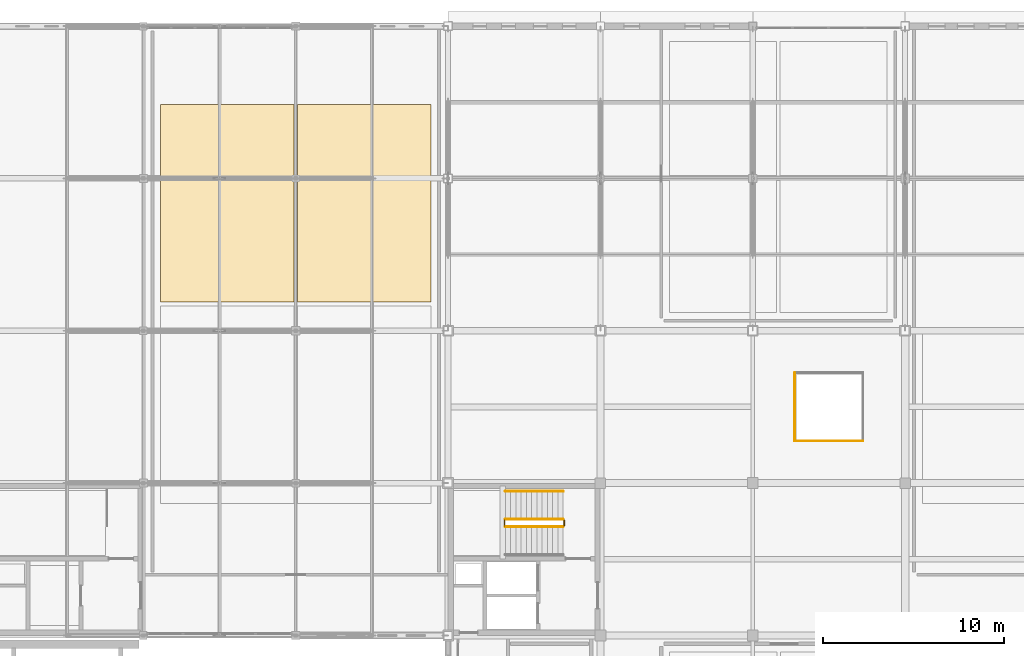
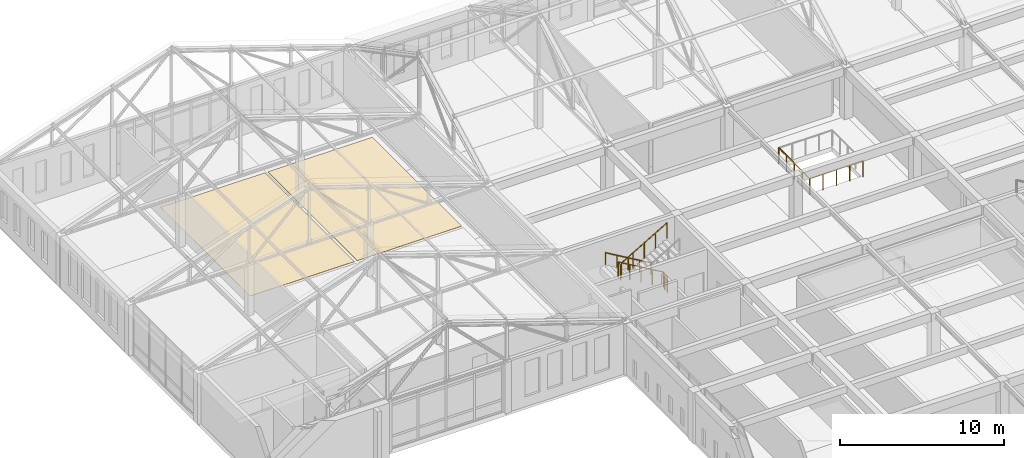
# One storey, part 55 of 56: 7 railings, 2 coverings.
"""IFC4 building model written with IfcOpenShell, lengths in metres."""

from ifc_helpers import new_model, si_unit, direction, frame, origin, origin_2d, place, context, subcontext, project, spatial, rectangle, circle, extrude, material, layer, layer_set, type_object, element, save


model = new_model("IFC4")

# Units and contexts
model_context = context("Model", 3, precision=1e-05, world=origin(), true_north=direction((0.0, 1.0)))
body_context = subcontext(model_context, "Body", "Model", "MODEL_VIEW")
ifc_project = project(units=[si_unit("LENGTHUNIT", "METRE"), si_unit("AREAUNIT", "SQUARE_METRE"), si_unit("VOLUMEUNIT", "CUBIC_METRE"), si_unit("PLANEANGLEUNIT", "RADIAN"), si_unit("MASSUNIT", "GRAM", prefix="KILO")], contexts=[model_context])

# Site, building, storey
site_placement = place(None, origin())
site = spatial("IfcSite", under=ifc_project, at=site_placement, CompositionType="ELEMENT")
building_placement = place(site_placement, origin())
building = spatial("IfcBuilding", under=site, at=building_placement, Name="Kveldsbrygga Polytechnic", CompositionType="ELEMENT")
storey_placement = place(building_placement, frame((0.0, 0.0, 18.02001953125)))
storey = spatial("IfcBuildingStorey", under=building, at=storey_placement, Name="L04", CompositionType="ELEMENT", Elevation=18.02001953125)

# Coverings
ifc_material_1 = material(Name="Acoustic oak timber flooring", Category="wood")
ifc_layer = layer(ifc_material_1, 0.02197265625)
ifc_layer_set = layer_set([ifc_layer], Name="Acoustic oak timber flooring")
covering_type = type_object("IfcCoveringType", Name="COV-FLR-OAK22", PredefinedType="FLOORING", material=ifc_layer_set)
for number, where, z_axis, x_axis, name in (
    (1, (113.824951171875, 107.824951171875, 0.0), (0.0, 0.0, 1.0), (1.0, 0.0, 0.0), "Room Flooring SP-L04-SEM41-WN"),
    (2, (121.375, 107.824951171875, 0.0), (0.0, 0.0, 1.0), (1.0, 0.0, 0.0), "Room Flooring SP-L04-SEM41-EN"),
):
    element("IfcCovering", number, at=place(storey_placement, frame(where, z_axis=z_axis, x_axis=x_axis)), inside=storey, type_object=covering_type, Name=name, PredefinedType="FLOORING", context=body_context, shape_type="SweptSolid", body=[
        extrude(rectangle(XDim=7.35009765625, YDim=10.89990234375, at=origin_2d()), origin(), (0.0, 0.0, 1.0), 0.02197265625),
    ])

# Railings
ifc_material_2 = material(Name="Steel S355", Category="steel")
railing_type_1 = type_object("IfcRailingType", Name="RL-STAIR-GRD", PredefinedType="GUARDRAIL", material=ifc_material_2)
railing_1_placement = place(storey_placement, frame((132.35009765625, 90.39990234375, 0.169921875)))
element("IfcRailing", 3, at=railing_1_placement, inside=storey, type_object=railing_type_1, Name="L04 ST-2 stair guard 1", PredefinedType="GUARDRAIL", context=body_context, shape_type="SweptSolid", body=[
    extrude(circle(Radius=0.02392578125, at=origin_2d()), frame((0.0, 0.0, 1.1259765625), z_axis=(-0.862696976859, 0.0, 0.505721194057), x_axis=(0.0, -1.0, 0.0)), (0.0, 0.0, 1.0), 3.697998046875),
    extrude(circle(Radius=0.02099609375, at=origin_2d()), origin(), (0.0, 0.0, 1.0), 1.097900390625),
    extrude(circle(Radius=0.02099609375, at=origin_2d()), frame((-0.797607421875, 0.0, 0.467529296875)), (0.0, 0.0, 1.0), 1.097900390625),
    extrude(circle(Radius=0.02099609375, at=origin_2d()), frame((-1.59521484375, 0.0, 0.93505859375)), (0.0, 0.0, 1.0), 1.097900390625),
    extrude(circle(Radius=0.02099609375, at=origin_2d()), frame((-2.392578125, 0.0, 1.402587890625)), (0.0, 0.0, 1.0), 1.097900390625),
    extrude(circle(Radius=0.02099609375, at=origin_2d()), frame((-3.190185546875, 0.0, 1.8701171875)), (0.0, 0.0, 1.0), 1.097900390625),
])
railing_2_placement = place(storey_placement, frame((129.110107421875, 90.35009765625, 2.0400390625)))
element("IfcRailing", 4, at=railing_2_placement, inside=storey, type_object=railing_type_1, Name="L04 ST-2 stair guard 2", PredefinedType="GUARDRAIL", context=body_context, shape_type="SweptSolid", body=[
    extrude(circle(Radius=0.02392578125, at=origin_2d()), frame((0.0, 0.0, 1.1259765625), z_axis=(0.0, -1.0, 0.0), x_axis=(1.0, 0.0, 0.0)), (0.0, 0.0, 1.0), 0.300048828125),
    extrude(circle(Radius=0.02099609375, at=origin_2d()), origin(), (0.0, 0.0, 1.0), 1.097900390625),
    extrude(circle(Radius=0.02099609375, at=origin_2d()), frame((0.0, -0.300048828125, 0.0)), (0.0, 0.0, 1.0), 1.097900390625),
])
railing_3_placement = place(storey_placement, frame((129.159912109375, 90.0, 2.2099609375)))
element("IfcRailing", 5, at=railing_3_placement, inside=storey, type_object=railing_type_1, Name="L04 ST-2 stair guard 3", PredefinedType="GUARDRAIL", context=body_context, shape_type="SweptSolid", body=[
    extrude(circle(Radius=0.02392578125, at=origin_2d()), frame((0.0, 0.0, 1.1259765625), z_axis=(0.862696976859, 0.0, 0.505721194057), x_axis=(0.0, 1.0, 0.0)), (0.0, 0.0, 1.0), 3.697998046875),
    extrude(circle(Radius=0.02099609375, at=origin_2d()), origin(), (0.0, 0.0, 1.0), 1.097900390625),
    extrude(circle(Radius=0.02099609375, at=origin_2d()), frame((0.797607421875, 0.0, 0.467529296875)), (0.0, 0.0, 1.0), 1.097900390625),
    extrude(circle(Radius=0.02099609375, at=origin_2d()), frame((1.59521484375, 0.0, 0.93505859375)), (0.0, 0.0, 1.0), 1.097900390625),
    extrude(circle(Radius=0.02099609375, at=origin_2d()), frame((2.392578125, 0.0, 1.402587890625)), (0.0, 0.0, 1.0), 1.097900390625),
    extrude(circle(Radius=0.02099609375, at=origin_2d()), frame((3.190185546875, 0.0, 1.8701171875)), (0.0, 0.0, 1.0), 1.097900390625),
])
railing_4_placement = place(storey_placement, frame((132.39990234375, 90.35009765625, 0.0)))
element("IfcRailing", 6, at=railing_4_placement, inside=storey, type_object=railing_type_1, Name="L04 ST-2 stair guard 4", PredefinedType="GUARDRAIL", context=body_context, shape_type="SweptSolid", body=[
    extrude(circle(Radius=0.02392578125, at=origin_2d()), frame((0.0, 0.0, 1.1259765625), z_axis=(0.0, -1.0, 0.0), x_axis=(1.0, 0.0, 0.0)), (0.0, 0.0, 1.0), 0.300048828125),
    extrude(circle(Radius=0.02099609375, at=origin_2d()), origin(), (0.0, 0.0, 1.0), 1.097900390625),
    extrude(circle(Radius=0.02099609375, at=origin_2d()), frame((0.0, -0.300048828125, 0.0)), (0.0, 0.0, 1.0), 1.097900390625),
])
railing_type_2 = type_object("IfcRailingType", Name="RL-STAIR-HND", PredefinedType="HANDRAIL", material=ifc_material_2)
railing_5_placement = place(storey_placement, frame((132.35009765625, 91.949951171875, 0.169921875)))
element("IfcRailing", 7, at=railing_5_placement, inside=storey, type_object=railing_type_2, Name="L04 ST-2 stair handrail 1", PredefinedType="HANDRAIL", context=body_context, shape_type="SweptSolid", body=[
    extrude(circle(Radius=0.02392578125, at=origin_2d()), frame((0.0, 0.0, 0.8759765625), z_axis=(-0.862696976859, 0.0, 0.505721194057), x_axis=(0.0, -1.0, 0.0)), (0.0, 0.0, 1.0), 3.697998046875),
    extrude(circle(Radius=0.02099609375, at=origin_2d()), origin(), (0.0, 0.0, 1.0), 0.847900390625),
    extrude(circle(Radius=0.02099609375, at=origin_2d()), frame((-0.797607421875, 0.0, 0.467529296875)), (0.0, 0.0, 1.0), 0.847900390625),
    extrude(circle(Radius=0.02099609375, at=origin_2d()), frame((-1.59521484375, 0.0, 0.93505859375)), (0.0, 0.0, 1.0), 0.847900390625),
    extrude(circle(Radius=0.02099609375, at=origin_2d()), frame((-2.392578125, 0.0, 1.402587890625)), (0.0, 0.0, 1.0), 0.847900390625),
    extrude(circle(Radius=0.02099609375, at=origin_2d()), frame((-3.190185546875, 0.0, 1.8701171875)), (0.0, 0.0, 1.0), 0.847900390625),
])
railing_type_3 = type_object("IfcRailingType", Name="RL-VOID-GRD", PredefinedType="GUARDRAIL", material=ifc_material_2)
railing_6_placement = place(storey_placement, frame((145.1201171875, 94.719970703125, 0.0)))
element("IfcRailing", 8, at=railing_6_placement, inside=storey, type_object=railing_type_3, Name="Atrium Well Guard GRD-L04-WELL-11-S", PredefinedType="GUARDRAIL", context=body_context, shape_type="SweptSolid", body=[
    extrude(circle(Radius=0.02392578125, at=origin_2d()), frame((0.0, 0.0, 1.17578125), z_axis=(1.0, 0.0, 0.0), x_axis=(0.0, 1.0, 0.0)), (0.0, 0.0, 1.0), 3.759765625),
    extrude(circle(Radius=0.02099609375, at=origin_2d()), origin(), (0.0, 0.0, 1.0), 1.14794921875),
    extrude(circle(Radius=0.02099609375, at=origin_2d()), frame((0.93994140625, 0.0, 0.0)), (0.0, 0.0, 1.0), 1.14794921875),
    extrude(circle(Radius=0.02099609375, at=origin_2d()), frame((1.8798828125, 0.0, 0.0)), (0.0, 0.0, 1.0), 1.14794921875),
    extrude(circle(Radius=0.02099609375, at=origin_2d()), frame((2.81982421875, 0.0, 0.0)), (0.0, 0.0, 1.0), 1.14794921875),
    extrude(circle(Radius=0.02099609375, at=origin_2d()), frame((3.759765625, 0.0, 0.0)), (0.0, 0.0, 1.0), 1.14794921875),
])
railing_7_placement = place(storey_placement, frame((145.1201171875, 98.47998046875, 0.0)))
element("IfcRailing", 9, at=railing_7_placement, inside=storey, type_object=railing_type_3, Name="Atrium Well Guard GRD-L04-WELL-11-W", PredefinedType="GUARDRAIL", context=body_context, shape_type="SweptSolid", body=[
    extrude(circle(Radius=0.02392578125, at=origin_2d()), frame((0.0, 0.0, 1.17578125), z_axis=(0.0, -1.0, 0.0), x_axis=(1.0, 0.0, 0.0)), (0.0, 0.0, 1.0), 3.760009765625),
    extrude(circle(Radius=0.02099609375, at=origin_2d()), origin(), (0.0, 0.0, 1.0), 1.14794921875),
    extrude(circle(Radius=0.02099609375, at=origin_2d()), frame((0.0, -0.93994140625, 0.0)), (0.0, 0.0, 1.0), 1.14794921875),
    extrude(circle(Radius=0.02099609375, at=origin_2d()), frame((0.0, -1.8798828125, 0.0)), (0.0, 0.0, 1.0), 1.14794921875),
    extrude(circle(Radius=0.02099609375, at=origin_2d()), frame((0.0, -2.820068359375, 0.0)), (0.0, 0.0, 1.0), 1.14794921875),
    extrude(circle(Radius=0.02099609375, at=origin_2d()), frame((0.0, -3.760009765625, 0.0)), (0.0, 0.0, 1.0), 1.14794921875),
])

save(model, "model.ifc")
